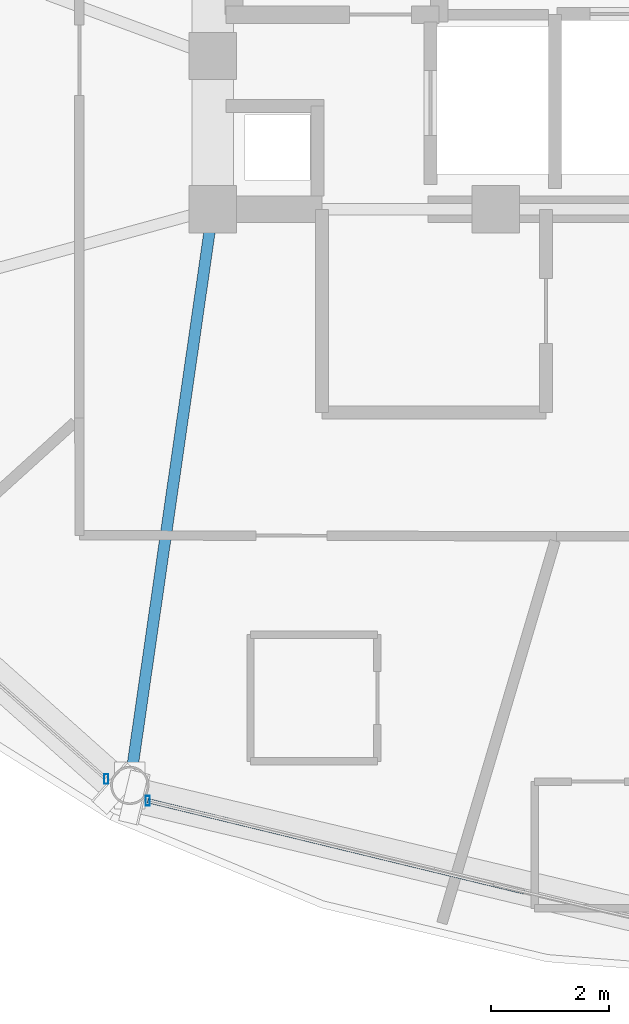
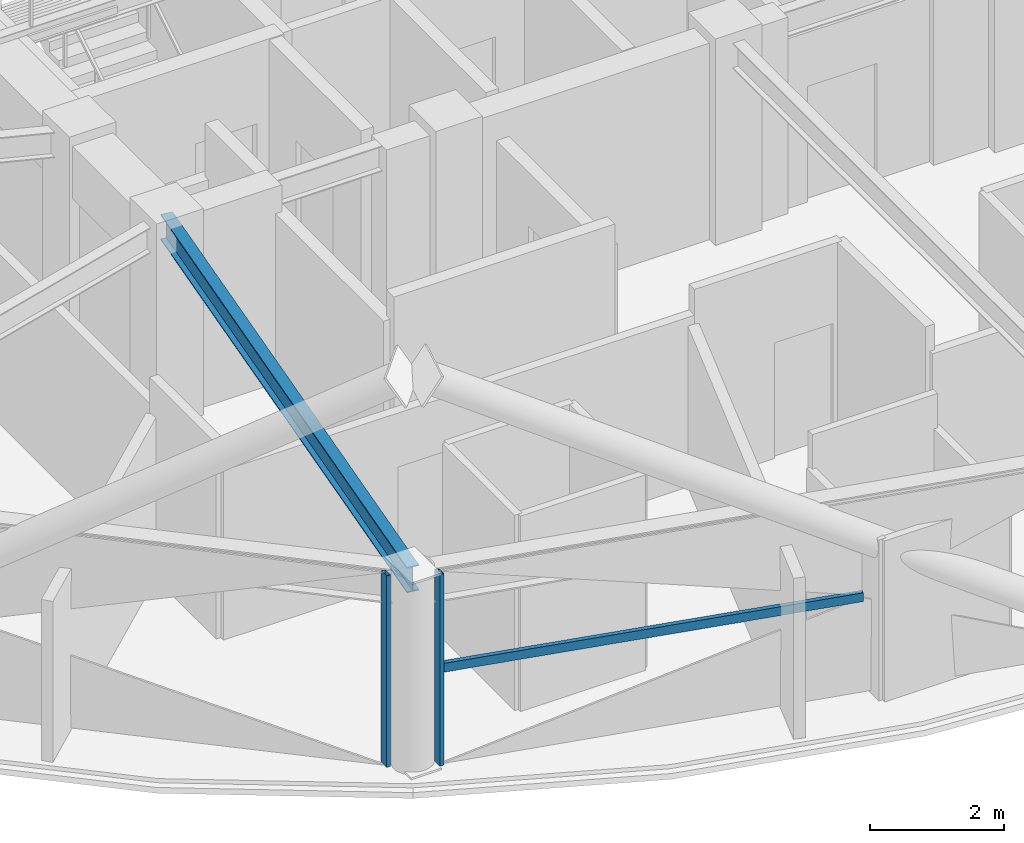
# One storey, part 2 of 29: 3 members, 1 beam, 2 elements without a shape of their own.
"""IFC4 building model written with IfcOpenShell, lengths in metres."""

from ifc_helpers import new_model, si_unit, direction, frame, origin, origin_2d, place, context, subcontext, project, spatial, hollow_rectangle, i_section, extrude, material, layer, layer_set, material_profile, profile_set, type_object, element, aggregate, save


model = new_model("IFC4")

# Units and contexts
model_context = context("Model", 3, precision=1e-05, world=origin(), true_north=direction((0.0, 1.0)))
body_context = subcontext(model_context, "Body", "Model", "MODEL_VIEW")
ifc_project = project(units=[si_unit("LENGTHUNIT", "METRE"), si_unit("AREAUNIT", "SQUARE_METRE"), si_unit("VOLUMEUNIT", "CUBIC_METRE"), si_unit("PLANEANGLEUNIT", "RADIAN"), si_unit("MASSUNIT", "GRAM", prefix="KILO")], contexts=[model_context])

# Site, building, storey
site_placement = place(None, origin())
site = spatial("IfcSite", under=ifc_project, at=site_placement, CompositionType="ELEMENT")
building_placement = place(site_placement, origin())
building = spatial("IfcBuilding", under=site, at=building_placement, Name="Vantalir Tower", CompositionType="ELEMENT")
storey_placement = place(building_placement, frame((0.0, 0.0, 219.89990234375)))
storey = spatial("IfcBuildingStorey", under=building, at=storey_placement, Name="L55", CompositionType="ELEMENT", Elevation=219.89990234375)

# Beam
ifc_material_1 = material(Name="Steel S355", Category="steel")
ifc_material_profile_1 = material_profile(ifc_material_1, i_section(OverallWidth=0.19189453125, OverallDepth=0.462890625, WebThickness=0.010498046875, FlangeThickness=0.017578125, at=origin_2d()), Name="Steel S355")
ifc_profile_set_1 = profile_set([ifc_material_profile_1], Name="Steel S355")
beam_type = type_object("IfcBeamType", Name="BM-RB-457x191", PredefinedType="BEAM", material=ifc_profile_set_1)
beam_placement = place(storey_placement, frame((20.492919921875, 8.029052734375, 3.338134765625), z_axis=(0.142525762499, 0.989791092617, 0.0), x_axis=(-0.989791092617, 0.142525762499, 0.0)))
element("IfcBeam", 1, at=beam_placement, inside=storey, type_object=beam_type, Name="L55 Radial Floor Beam 09", PredefinedType="BEAM", context=body_context, shape_type="SweptSolid", body=[
    extrude(i_section(OverallWidth=0.19189453125, OverallDepth=0.462890625, WebThickness=0.010498046875, FlangeThickness=0.017578125, at=origin_2d()), origin(), (0.0, 0.0, 1.0), 9.871826171875),
])

# Curtain wall, member
ifc_material_2 = material(Name="Champagne-silver PVDF aluminium and double-silver Low-E glass", Category="aluminium")
ifc_layer = layer(ifc_material_2, 0.2099609375)
ifc_layer_set = layer_set([ifc_layer], Name="Champagne-silver PVDF aluminium and double-silver Low-E glass")
curtain_wall_type = type_object("IfcCurtainWallType", Name="CW-DIAMOND-Z3", PredefinedType="USERDEFINED", material=ifc_layer_set)
curtain_wall_1_placement = place(storey_placement, origin())
curtain_wall_1 = element("IfcCurtainWall", 2, at=curtain_wall_1_placement, inside=storey, type_object=curtain_wall_type, Name="L55 Quilted Pyramid-Diamond Curtain Wall S08", ObjectType="UNITISED CURTAIN WALL", PredefinedType="USERDEFINED")
ifc_material_3 = material(Name="Champagne-silver PVDF aluminium 6063-T6", Category="aluminium")
ifc_material_profile_2 = material_profile(ifc_material_3, hollow_rectangle(XDim=0.070068359375, YDim=0.1650390625, WallThickness=0.00390625, at=origin_2d()), Name="Champagne-silver PVDF aluminium 6063-T6")
ifc_profile_set_2 = profile_set([ifc_material_profile_2], Name="Champagne-silver PVDF aluminium 6063-T6")
member_type_1 = type_object("IfcMemberType", Name="CWM-165x70", PredefinedType="MULLION", material=ifc_profile_set_2)
member_1_placement = place(storey_placement, frame((20.092041015625, 8.137939453125, 0.045166015625), z_axis=(0.0, 0.0, 1.0), x_axis=(1.0, 0.0, 0.0)))
member_1 = element("IfcMember", 3, at=member_1_placement, type_object=member_type_1, Name="CW-L55-S08 Mullion 2", PredefinedType="MULLION", context=body_context, shape_type="SweptSolid", body=[
    extrude(hollow_rectangle(XDim=0.070068359375, YDim=0.1650390625, WallThickness=0.00390625, at=origin_2d()), origin(), (0.0, 0.0, 1.0), 3.47998046875),
])
aggregate(curtain_wall_1, [member_1])

# Curtain wall, members
curtain_wall_2_placement = place(storey_placement, origin())
curtain_wall_2 = element("IfcCurtainWall", 4, at=curtain_wall_2_placement, inside=storey, type_object=curtain_wall_type, Name="L55 Quilted Pyramid-Diamond Curtain Wall S09", ObjectType="UNITISED CURTAIN WALL", PredefinedType="USERDEFINED")
member_2_placement = place(storey_placement, frame((20.797119140625, 7.77001953125, 0.045166015625), z_axis=(0.0, 0.0, 1.0), x_axis=(1.0, 0.0, 0.0)))
member_2 = element("IfcMember", 5, at=member_2_placement, type_object=member_type_1, Name="CW-L55-S09 Mullion 1", PredefinedType="MULLION", context=body_context, shape_type="SweptSolid", body=[
    extrude(hollow_rectangle(XDim=0.070068359375, YDim=0.1650390625, WallThickness=0.00390625, at=origin_2d()), origin(), (0.0, 0.0, 1.0), 3.47998046875),
])
ifc_material_profile_3 = material_profile(ifc_material_3, hollow_rectangle(XDim=0.074951171875, YDim=0.159912109375, WallThickness=0.00390625, at=origin_2d()), Name="Champagne-silver PVDF aluminium 6063-T6")
ifc_profile_set_3 = profile_set([ifc_material_profile_3], Name="Champagne-silver PVDF aluminium 6063-T6")
member_type_2 = type_object("IfcMemberType", Name="CWT-160x75", PredefinedType="USERDEFINED", material=ifc_profile_set_3)
member_3_placement = place(storey_placement, frame((20.797119140625, 7.77001953125, 1.78515625), z_axis=(0.971789982032, -0.235847897643, 0.0), x_axis=(0.235847897643, 0.971789982032, 0.0)))
member_3 = element("IfcMember", 6, at=member_3_placement, type_object=member_type_2, Name="CW-L55-S09 Pyramid Fold Ridge Transom", ObjectType="TRANSOM", PredefinedType="USERDEFINED", context=body_context, shape_type="SweptSolid", body=[
    extrude(hollow_rectangle(XDim=0.074951171875, YDim=0.159912109375, WallThickness=0.00390625, at=origin_2d()), origin(), (0.0, 0.0, 1.0), 6.568115234375),
])
aggregate(curtain_wall_2, [member_2, member_3])

save(model, "model.ifc")
